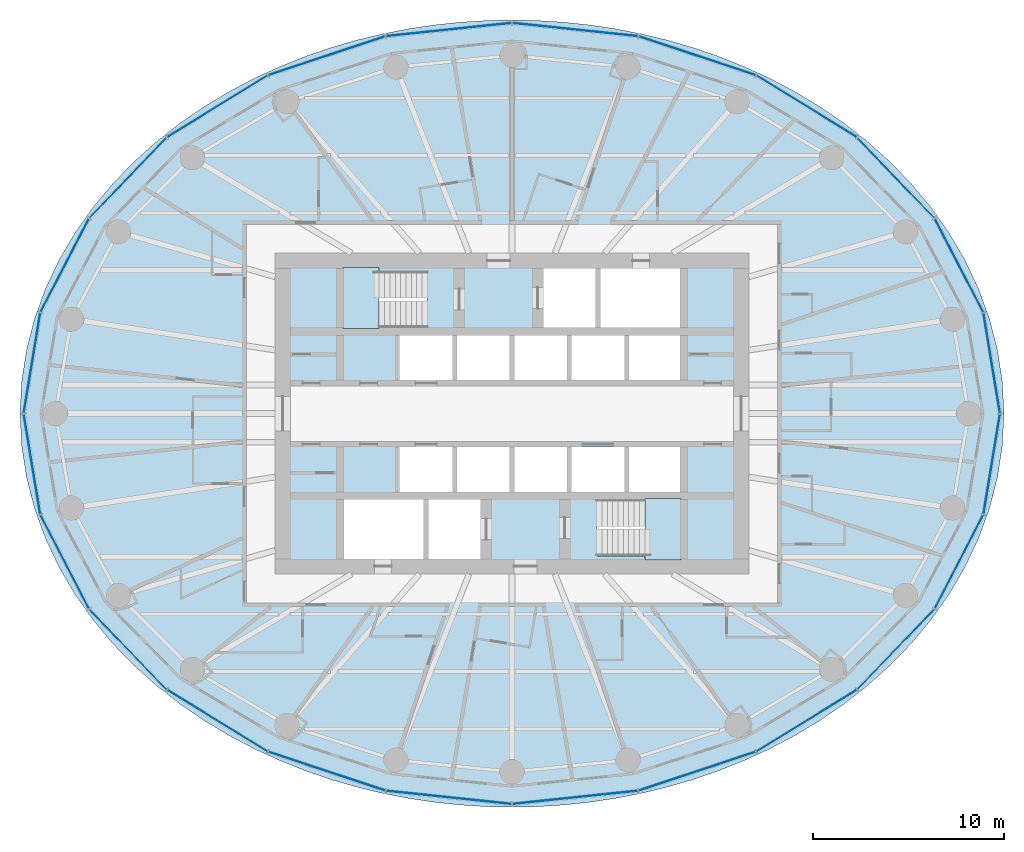
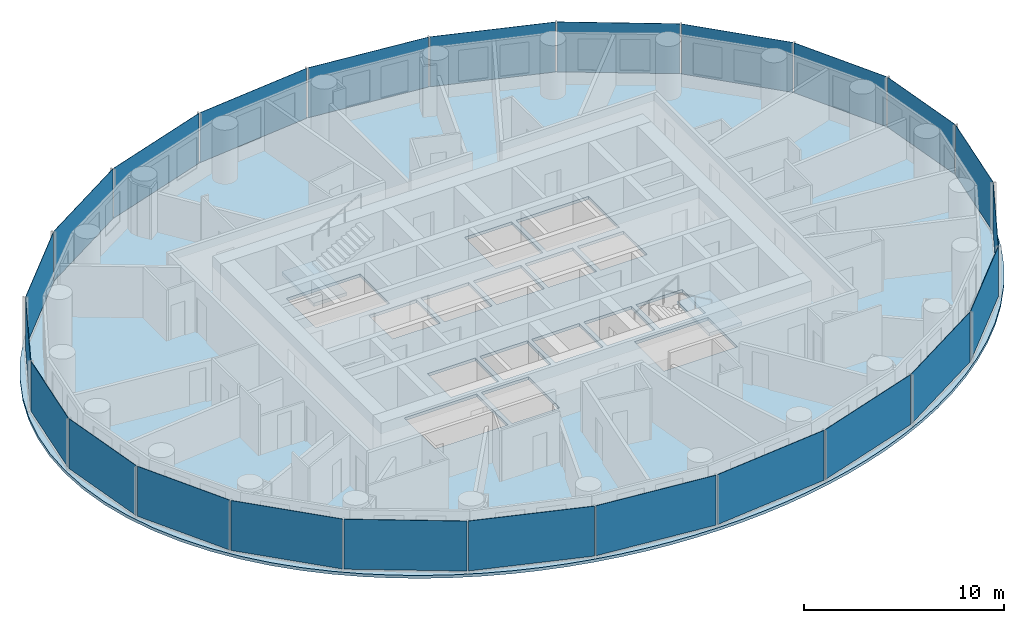
# One storey, part 5 of 13: 24 plates, 3 slabs, 6 elements without a shape of their own.
"""IFC4 building model written with IfcOpenShell, lengths in metres."""

import ifcopenshell
import ifcopenshell.guid

model = None  # the IFC model being written
_history = None  # IfcOwnerHistory: only IFC2X3 demands one
_inside = {}  # id of a spatial element -> (the spatial element, [elements in it])
_under = {}  # id of a project, library or spatial element -> (it, [spatial elements below it])
_declared = {}  # id of a project -> (the project, [libraries it declares])
_typed = {}  # id of a type object -> (the type object, [elements of that type])
_made_of = {}  # id of a material, layer set ... -> (it, [elements and type objects made of it])


def new_model(schema):
    """Start an empty IFC model of exactly this schema.

    Asked for "IFC4X3", IfcOpenShell would pick the latest addendum, in which some entities
    have other attributes; the version numbers below select the first issue.
    IFC2X3 requires an IfcOwnerHistory on every rooted entity: one is made here for all.
    """
    global model, _history
    if schema == "IFC4X3":
        model = ifcopenshell.file(schema_version=(4, 3, 0, 0))
    else:
        model = ifcopenshell.file(schema=schema)
    _inside.clear()
    _under.clear()
    _declared.clear()
    _typed.clear()
    _made_of.clear()
    _history = None
    if model.schema == "IFC2X3":
        org = make("IfcOrganization", Name="unknown")
        user = make(
            "IfcPersonAndOrganization",
            ThePerson=make("IfcPerson", FamilyName="unknown"),
            TheOrganization=org,
        )
        app = make(
            "IfcApplication",
            ApplicationDeveloper=org,
            Version="unknown",
            ApplicationFullName="unknown",
            ApplicationIdentifier="unknown",
        )
        _history = make(
            "IfcOwnerHistory",
            OwningUser=user,
            OwningApplication=app,
            ChangeAction="ADDED",
            CreationDate=0,
        )
    return model


def make(cls, **values):
    """One entity of the class cls with the attributes given. An attribute that is None is left unset."""
    return model.create_entity(
        cls, **{name: value for name, value in values.items() if value is not None}
    )


def rooted(cls, **values):
    """An entity with a GlobalId (a new one), such as an element, a storey or a relation."""
    return make(cls, GlobalId=ifcopenshell.guid.new(), OwnerHistory=_history, **values)


def si_unit(unit_type, name, prefix=None):
    """IfcSIUnit, for example si_unit("LENGTHUNIT", "METRE", prefix="MILLI")."""
    return make("IfcSIUnit", UnitType=unit_type, Prefix=prefix, Name=name)


def assignment(units):
    """IfcUnitAssignment: the units of a project."""
    return None if units is None else make("IfcUnitAssignment", Units=units)


def point(xyz):
    """IfcCartesianPoint."""
    return None if xyz is None else make("IfcCartesianPoint", Coordinates=xyz)


def direction(xyz):
    """IfcDirection."""
    return None if xyz is None else make("IfcDirection", DirectionRatios=xyz)


def frame(location, z_axis=None, x_axis=None):
    """IfcAxis2Placement3D, a coordinate frame: its origin and axes. An axis left out is left unset."""
    return make(
        "IfcAxis2Placement3D",
        Location=point(location),
        Axis=direction(z_axis),
        RefDirection=direction(x_axis),
    )


def frame_2d(location, x_axis=None):
    """IfcAxis2Placement2D, a coordinate frame in the plane: its origin and x axis."""
    return make(
        "IfcAxis2Placement2D", Location=point(location), RefDirection=direction(x_axis)
    )


def origin():
    """The frame at (0, 0, 0) with its axes left unset."""
    return frame((0.0, 0.0, 0.0))


def origin_2d():
    """The frame at (0, 0) in the plane with its x axis left unset."""
    return frame_2d((0.0, 0.0))


def place(relative_to, where):
    """IfcLocalPlacement: puts the frame where relative to a parent placement (None: the world)."""
    return make(
        "IfcLocalPlacement", PlacementRelTo=relative_to, RelativePlacement=where
    )


def context(
    kind, dimensions, precision=None, world=None, true_north=None, identifier=None
):
    """IfcGeometricRepresentationContext, for example the 3D "Model" context."""
    return make(
        "IfcGeometricRepresentationContext",
        ContextIdentifier=identifier,
        ContextType=kind,
        CoordinateSpaceDimension=dimensions,
        Precision=precision,
        WorldCoordinateSystem=world,
        TrueNorth=true_north,
    )


def subcontext(parent, identifier, kind, view, scale=None):
    """IfcGeometricRepresentationSubContext, for example "Body" below "Model"."""
    return make(
        "IfcGeometricRepresentationSubContext",
        ContextIdentifier=identifier,
        ContextType=kind,
        ParentContext=parent,
        TargetScale=scale,
        TargetView=view,
    )


def project(units=None, contexts=None):
    """IfcProject with its units and contexts."""
    return rooted(
        "IfcProject",
        Name="project",
        RepresentationContexts=contexts,
        UnitsInContext=assignment(units),
    )


def spatial(cls, under=None, at=None, **own):
    """A site, building, storey or space (cls), placed at a placement, below another one or the project."""
    s = rooted(cls, ObjectPlacement=at, **own)
    if under is not None:
        _under.setdefault(under.id(), (under, []))[1].append(s)
    return s


def polyline(points):
    """IfcPolyline through the points."""
    return make("IfcPolyline", Points=[point(p) for p in points])


def profile(cls, at=None, kind="AREA", **sizes):
    """A parametric profile (cls). Its sizes go by their IFC names, for example OverallWidth=200.0."""
    return make(cls, ProfileType=kind, Position=at, **sizes)


def rectangle(**sizes):
    """IfcRectangleProfileDef."""
    return profile("IfcRectangleProfileDef", **sizes)


def outline(outer, holes=None, kind="AREA"):
    """IfcArbitraryClosedProfileDef: a profile drawn as a closed curve; with holes, ...WithVoids."""
    if holes is None:
        return make("IfcArbitraryClosedProfileDef", ProfileType=kind, OuterCurve=outer)
    return make(
        "IfcArbitraryProfileDefWithVoids",
        ProfileType=kind,
        OuterCurve=outer,
        InnerCurves=holes,
    )


def extrude(swept, where, along, depth):
    """IfcExtrudedAreaSolid: the profile swept, set in the frame where, extruded along a direction by depth."""
    return make(
        "IfcExtrudedAreaSolid",
        SweptArea=swept,
        Position=where,
        ExtrudedDirection=direction(along),
        Depth=depth,
    )


def shape(context_of_items, identifier, shape_type, items):
    """IfcShapeRepresentation: the items that make up one representation, for example the "Body"."""
    return make(
        "IfcShapeRepresentation",
        ContextOfItems=context_of_items,
        RepresentationIdentifier=identifier,
        RepresentationType=shape_type,
        Items=items,
    )


def material(Name=None, Category=None):
    """IfcMaterial."""
    return make("IfcMaterial", Name=Name, Category=Category)


def layer(
    of_material, thickness, ventilated=None, Name=None, Category=None, Priority=None
):
    """IfcMaterialLayer: one layer of a wall or slab, of a material (None: an air gap)."""
    return make(
        "IfcMaterialLayer",
        Material=of_material,
        LayerThickness=thickness,
        IsVentilated=ventilated,
        Name=Name,
        Category=Category,
        Priority=Priority,
    )


def layer_set(layers, Name=None):
    """IfcMaterialLayerSet."""
    return make("IfcMaterialLayerSet", MaterialLayers=layers, LayerSetName=Name)


def made_of(thing, what):
    """Note that an element or type object is made of a material, layer set ...; save() writes the relation."""
    if what is not None:
        _made_of.setdefault(what.id(), (what, []))[1].append(thing)
    return thing


def type_object(cls, material=None, **own):
    """A type object (cls), such as IfcWallType, which elements share."""
    return made_of(rooted(cls, **own), material)


def element(
    cls,
    number,
    at=None,
    inside=None,
    cuts=None,
    type_object=None,
    material=None,
    context=None,
    identifier="Body",
    shape_type=None,
    held_by="IfcProductDefinitionShape",
    body=None,
    shapes=None,
    **own,
):
    """One element of the class cls, such as IfcWall. Its Tag is "e" and its number.

    at: its placement. inside: the storey or other place that contains it. cuts: it is an
    opening in that element (IfcRelVoidsElement). A single representation is given by context,
    identifier, shape_type and body (its items); several are given by shapes. held_by: the class
    of the entity that holds the representations. save() writes the other relations.
    """
    e = rooted(cls, Tag="e%d" % number, ObjectPlacement=at, **own)
    if body is not None:
        shapes = [shape(context, identifier, shape_type, body)]
    if shapes is not None:
        e.Representation = make(held_by, Representations=shapes)
    if inside is not None:
        _inside.setdefault(inside.id(), (inside, []))[1].append(e)
    if cuts is not None:
        rooted(
            "IfcRelVoidsElement", RelatingBuildingElement=cuts, RelatedOpeningElement=e
        )
    if type_object is not None:
        _typed.setdefault(type_object.id(), (type_object, []))[1].append(e)
    return made_of(e, material)


def aggregate(whole, parts):
    """IfcRelAggregates: a whole, such as a stair, and the parts it consists of."""
    return rooted("IfcRelAggregates", RelatingObject=whole, RelatedObjects=parts)


def save(model, path):
    """Write the relations noted so far, then the file.

    IfcRelAggregates (storeys below a building ...), IfcRelContainedInSpatialStructure (elements
    in a storey), IfcRelDefinesByType, IfcRelAssociatesMaterial and IfcRelDeclares: one each for
    every whole, place, type object, material and project.
    """
    for whole, parts in _under.values():
        aggregate(whole, parts)
    for where, things in _inside.values():
        rooted(
            "IfcRelContainedInSpatialStructure",
            RelatedElements=things,
            RelatingStructure=where,
        )
    for kind, things in _typed.values():
        rooted("IfcRelDefinesByType", RelatedObjects=things, RelatingType=kind)
    for what, things in _made_of.values():
        rooted("IfcRelAssociatesMaterial", RelatedObjects=things, RelatingMaterial=what)
    for by, libraries in _declared.values():
        rooted("IfcRelDeclares", RelatingContext=by, RelatedDefinitions=libraries)
    model.write(path)


model = new_model("IFC4")

# Units and contexts
model_context = context("Model", 3, precision=1e-05, world=origin(), true_north=direction((0.0, 1.0)))
body_context = subcontext(model_context, "Body", "Model", "MODEL_VIEW")
ifc_project = project(units=[si_unit("LENGTHUNIT", "METRE"), si_unit("AREAUNIT", "SQUARE_METRE"), si_unit("VOLUMEUNIT", "CUBIC_METRE"), si_unit("PLANEANGLEUNIT", "RADIAN"), si_unit("MASSUNIT", "GRAM", prefix="KILO")], contexts=[model_context])

# Site, building, storey
site_placement = place(None, origin())
site = spatial("IfcSite", under=ifc_project, at=site_placement, CompositionType="ELEMENT")
building_placement = place(site_placement, origin())
building = spatial("IfcBuilding", under=site, at=building_placement, Name="Hankou Lantern Tower", CompositionType="ELEMENT")
storey_placement = place(building_placement, frame((0.0, 0.0, 128.699951171875)))
storey = spatial("IfcBuildingStorey", under=building, at=storey_placement, Name="L33", CompositionType="ELEMENT", Elevation=128.699951171875)

# Curtain wall, plates
ifc_material_1 = material(Name="Glass, dark grey tinted laminated", Category="glass")
curtain_wall_type = type_object("IfcCurtainWallType", Name="CWB OUTER SKIN MID-RISE", PredefinedType="USERDEFINED", material=ifc_material_1)
curtain_wall_1_placement = place(storey_placement, origin())
curtain_wall_1 = element("IfcCurtainWall", 1, at=curtain_wall_1_placement, inside=storey, type_object=curtain_wall_type, Name="CWB L33 OS1", ObjectType="OUTER SKIN MID-RISE", PredefinedType="USERDEFINED")
ifc_material_2 = material(Name="Glass, dark grey tinted laminated", Category="glass")
ifc_layer_1 = layer(ifc_material_2, 0.02392578125)
ifc_layer_set_1 = layer_set([ifc_layer_1], Name="Glass, dark grey tinted laminated")
plate_type = type_object("IfcPlateType", Name="PN1 OUTER SKIN GLASS PANEL", PredefinedType="CURTAIN_PANEL", material=ifc_layer_set_1)
plate_1_placement = place(storey_placement, frame((25.11474609375, 2.64501953125, 0.080078125), z_axis=(0.0, 0.0, 1.0), x_axis=(-0.162381515188, 0.986728049427, 0.0)))
plate_1 = element("IfcPlate", 2, at=plate_1_placement, type_object=plate_type, Name="CWB glass panel 1", PredefinedType="CURTAIN_PANEL", context=body_context, shape_type="SweptSolid", body=[
    extrude(rectangle(XDim=5.281494140625, YDim=0.02392578125, at=origin_2d()), origin(), (0.0, 0.0, 1.0), 3.0400390625),
])
plate_2_placement = place(storey_placement, frame((23.403076171875, 7.755126953125, 0.080078125), z_axis=(0.0, 0.0, 1.0), x_axis=(-0.459791091957, 0.888027112062, 0.0)))
plate_2 = element("IfcPlate", 3, at=plate_2_placement, type_object=plate_type, Name="CWB glass panel 2", PredefinedType="CURTAIN_PANEL", context=body_context, shape_type="SweptSolid", body=[
    extrude(rectangle(XDim=5.471435546875, YDim=0.02392578125, at=origin_2d()), origin(), (0.0, 0.0, 1.0), 3.0400390625),
])
plate_3_placement = place(storey_placement, frame((20.0966796875, 12.336669921875, 0.080078125), z_axis=(0.0, 0.0, 1.0), x_axis=(-0.692215809936, 0.721690565599, 0.0)))
plate_3 = element("IfcPlate", 4, at=plate_3_placement, type_object=plate_type, Name="CWB glass panel 3", PredefinedType="CURTAIN_PANEL", context=body_context, shape_type="SweptSolid", body=[
    extrude(rectangle(XDim=5.78564453125, YDim=0.02392578125, at=origin_2d()), origin(), (0.0, 0.0, 1.0), 3.0400390625),
])
plate_4_placement = place(storey_placement, frame((15.4208984375, 16.077392578125, 0.080078125), z_axis=(0.0, 0.0, 1.0), x_axis=(-0.852237151549, 0.523155653242, 0.0)))
plate_4 = element("IfcPlate", 5, at=plate_4_placement, type_object=plate_type, Name="CWB glass panel 4", PredefinedType="CURTAIN_PANEL", context=body_context, shape_type="SweptSolid", body=[
    extrude(rectangle(XDim=6.129150390625, YDim=0.02392578125, at=origin_2d()), origin(), (0.0, 0.0, 1.0), 3.0400390625),
])
plate_5_placement = place(storey_placement, frame((9.69384765625, 18.72265625, 0.080078125), z_axis=(0.0, 0.0, 1.0), x_axis=(-0.949240677293, 0.31455068999, 0.0)))
plate_5 = element("IfcPlate", 6, at=plate_5_placement, type_object=plate_type, Name="CWB glass panel 5", PredefinedType="CURTAIN_PANEL", context=body_context, shape_type="SweptSolid", body=[
    extrude(rectangle(XDim=6.41162109375, YDim=0.02392578125, at=origin_2d()), origin(), (0.0, 0.0, 1.0), 3.0400390625),
])
plate_6_placement = place(storey_placement, frame((3.306396484375, 20.091796875, 0.080078125), z_axis=(0.0, 0.0, 1.0), x_axis=(-0.994499359107, 0.104742659579, 0.0)))
plate_6 = element("IfcPlate", 7, at=plate_6_placement, type_object=plate_type, Name="CWB glass panel 6", PredefinedType="CURTAIN_PANEL", context=body_context, shape_type="SweptSolid", body=[
    extrude(rectangle(XDim=6.5693359375, YDim=0.02392578125, at=origin_2d()), origin(), (0.0, 0.0, 1.0), 3.0400390625),
])
aggregate(curtain_wall_1, [plate_1, plate_2, plate_3, plate_4, plate_5, plate_6])

curtain_wall_2_placement = place(storey_placement, origin())
curtain_wall_2 = element("IfcCurtainWall", 8, at=curtain_wall_2_placement, inside=storey, type_object=curtain_wall_type, Name="CWB L33 OS2", ObjectType="OUTER SKIN MID-RISE", PredefinedType="USERDEFINED")
plate_7_placement = place(storey_placement, frame((-3.306396484375, 20.091796875, 0.080078125), z_axis=(0.0, 0.0, 1.0), x_axis=(-0.994499359107, -0.104742659579, 0.0)))
plate_7 = element("IfcPlate", 9, at=plate_7_placement, type_object=plate_type, Name="CWB glass panel 1", PredefinedType="CURTAIN_PANEL", context=body_context, shape_type="SweptSolid", body=[
    extrude(rectangle(XDim=6.5693359375, YDim=0.02392578125, at=origin_2d()), origin(), (0.0, 0.0, 1.0), 3.0400390625),
])
plate_8_placement = place(storey_placement, frame((-9.69384765625, 18.72265625, 0.080078125), z_axis=(0.0, 0.0, 1.0), x_axis=(-0.949240677293, -0.31455068999, 0.0)))
plate_8 = element("IfcPlate", 10, at=plate_8_placement, type_object=plate_type, Name="CWB glass panel 2", PredefinedType="CURTAIN_PANEL", context=body_context, shape_type="SweptSolid", body=[
    extrude(rectangle(XDim=6.41162109375, YDim=0.02392578125, at=origin_2d()), origin(), (0.0, 0.0, 1.0), 3.0400390625),
])
plate_9_placement = place(storey_placement, frame((-15.4208984375, 16.077392578125, 0.080078125), z_axis=(0.0, 0.0, 1.0), x_axis=(-0.852237151549, -0.523155653242, 0.0)))
plate_9 = element("IfcPlate", 11, at=plate_9_placement, type_object=plate_type, Name="CWB glass panel 3", PredefinedType="CURTAIN_PANEL", context=body_context, shape_type="SweptSolid", body=[
    extrude(rectangle(XDim=6.129150390625, YDim=0.02392578125, at=origin_2d()), origin(), (0.0, 0.0, 1.0), 3.0400390625),
])
plate_10_placement = place(storey_placement, frame((-20.0966796875, 12.336669921875, 0.080078125), z_axis=(0.0, 0.0, 1.0), x_axis=(-0.692215809936, -0.721690565599, 0.0)))
plate_10 = element("IfcPlate", 12, at=plate_10_placement, type_object=plate_type, Name="CWB glass panel 4", PredefinedType="CURTAIN_PANEL", context=body_context, shape_type="SweptSolid", body=[
    extrude(rectangle(XDim=5.78564453125, YDim=0.02392578125, at=origin_2d()), origin(), (0.0, 0.0, 1.0), 3.0400390625),
])
plate_11_placement = place(storey_placement, frame((-23.403076171875, 7.755126953125, 0.080078125), z_axis=(0.0, 0.0, 1.0), x_axis=(-0.459791091957, -0.888027112062, 0.0)))
plate_11 = element("IfcPlate", 13, at=plate_11_placement, type_object=plate_type, Name="CWB glass panel 5", PredefinedType="CURTAIN_PANEL", context=body_context, shape_type="SweptSolid", body=[
    extrude(rectangle(XDim=5.471435546875, YDim=0.02392578125, at=origin_2d()), origin(), (0.0, 0.0, 1.0), 3.0400390625),
])
plate_12_placement = place(storey_placement, frame((-25.11474609375, 2.64501953125, 0.080078125), z_axis=(0.0, 0.0, 1.0), x_axis=(-0.162381515188, -0.986728049427, 0.0)))
plate_12 = element("IfcPlate", 14, at=plate_12_placement, type_object=plate_type, Name="CWB glass panel 6", PredefinedType="CURTAIN_PANEL", context=body_context, shape_type="SweptSolid", body=[
    extrude(rectangle(XDim=5.281494140625, YDim=0.02392578125, at=origin_2d()), origin(), (0.0, 0.0, 1.0), 3.0400390625),
])
aggregate(curtain_wall_2, [plate_7, plate_8, plate_9, plate_10, plate_11, plate_12])

curtain_wall_3_placement = place(storey_placement, origin())
curtain_wall_3 = element("IfcCurtainWall", 15, at=curtain_wall_3_placement, inside=storey, type_object=curtain_wall_type, Name="CWB L33 OS3", ObjectType="OUTER SKIN MID-RISE", PredefinedType="USERDEFINED")
plate_13_placement = place(storey_placement, frame((-25.11474609375, -2.64501953125, 0.080078125), z_axis=(0.0, 0.0, 1.0), x_axis=(0.162381515188, -0.986728049427, 0.0)))
plate_13 = element("IfcPlate", 16, at=plate_13_placement, type_object=plate_type, Name="CWB glass panel 1", PredefinedType="CURTAIN_PANEL", context=body_context, shape_type="SweptSolid", body=[
    extrude(rectangle(XDim=5.281494140625, YDim=0.02392578125, at=origin_2d()), origin(), (0.0, 0.0, 1.0), 3.0400390625),
])
plate_14_placement = place(storey_placement, frame((-23.403076171875, -7.755126953125, 0.080078125), z_axis=(0.0, 0.0, 1.0), x_axis=(0.459791091957, -0.888027112062, 0.0)))
plate_14 = element("IfcPlate", 17, at=plate_14_placement, type_object=plate_type, Name="CWB glass panel 2", PredefinedType="CURTAIN_PANEL", context=body_context, shape_type="SweptSolid", body=[
    extrude(rectangle(XDim=5.471435546875, YDim=0.02392578125, at=origin_2d()), origin(), (0.0, 0.0, 1.0), 3.0400390625),
])
plate_15_placement = place(storey_placement, frame((-20.0966796875, -12.336669921875, 0.080078125), z_axis=(0.0, 0.0, 1.0), x_axis=(0.692215809936, -0.721690565599, 0.0)))
plate_15 = element("IfcPlate", 18, at=plate_15_placement, type_object=plate_type, Name="CWB glass panel 3", PredefinedType="CURTAIN_PANEL", context=body_context, shape_type="SweptSolid", body=[
    extrude(rectangle(XDim=5.78564453125, YDim=0.02392578125, at=origin_2d()), origin(), (0.0, 0.0, 1.0), 3.0400390625),
])
plate_16_placement = place(storey_placement, frame((-15.4208984375, -16.077392578125, 0.080078125), z_axis=(0.0, 0.0, 1.0), x_axis=(0.852237151549, -0.523155653242, 0.0)))
plate_16 = element("IfcPlate", 19, at=plate_16_placement, type_object=plate_type, Name="CWB glass panel 4", PredefinedType="CURTAIN_PANEL", context=body_context, shape_type="SweptSolid", body=[
    extrude(rectangle(XDim=6.129150390625, YDim=0.02392578125, at=origin_2d()), origin(), (0.0, 0.0, 1.0), 3.0400390625),
])
plate_17_placement = place(storey_placement, frame((-9.69384765625, -18.72265625, 0.080078125), z_axis=(0.0, 0.0, 1.0), x_axis=(0.949240677293, -0.31455068999, 0.0)))
plate_17 = element("IfcPlate", 20, at=plate_17_placement, type_object=plate_type, Name="CWB glass panel 5", PredefinedType="CURTAIN_PANEL", context=body_context, shape_type="SweptSolid", body=[
    extrude(rectangle(XDim=6.41162109375, YDim=0.02392578125, at=origin_2d()), origin(), (0.0, 0.0, 1.0), 3.0400390625),
])
plate_18_placement = place(storey_placement, frame((-3.306396484375, -20.091796875, 0.080078125), z_axis=(0.0, 0.0, 1.0), x_axis=(0.994499359107, -0.104742659579, 0.0)))
plate_18 = element("IfcPlate", 21, at=plate_18_placement, type_object=plate_type, Name="CWB glass panel 6", PredefinedType="CURTAIN_PANEL", context=body_context, shape_type="SweptSolid", body=[
    extrude(rectangle(XDim=6.5693359375, YDim=0.02392578125, at=origin_2d()), origin(), (0.0, 0.0, 1.0), 3.0400390625),
])
aggregate(curtain_wall_3, [plate_13, plate_14, plate_15, plate_16, plate_17, plate_18])

curtain_wall_4_placement = place(storey_placement, origin())
curtain_wall_4 = element("IfcCurtainWall", 22, at=curtain_wall_4_placement, inside=storey, type_object=curtain_wall_type, Name="CWB L33 OS4", ObjectType="OUTER SKIN MID-RISE", PredefinedType="USERDEFINED")
plate_19_placement = place(storey_placement, frame((3.306396484375, -20.091796875, 0.080078125), z_axis=(0.0, 0.0, 1.0), x_axis=(0.994499359107, 0.104742659579, 0.0)))
plate_19 = element("IfcPlate", 23, at=plate_19_placement, type_object=plate_type, Name="CWB glass panel 1", PredefinedType="CURTAIN_PANEL", context=body_context, shape_type="SweptSolid", body=[
    extrude(rectangle(XDim=6.5693359375, YDim=0.02392578125, at=origin_2d()), origin(), (0.0, 0.0, 1.0), 3.0400390625),
])
plate_20_placement = place(storey_placement, frame((9.69384765625, -18.72265625, 0.080078125), z_axis=(0.0, 0.0, 1.0), x_axis=(0.949240677293, 0.31455068999, 0.0)))
plate_20 = element("IfcPlate", 24, at=plate_20_placement, type_object=plate_type, Name="CWB glass panel 2", PredefinedType="CURTAIN_PANEL", context=body_context, shape_type="SweptSolid", body=[
    extrude(rectangle(XDim=6.41162109375, YDim=0.02392578125, at=origin_2d()), origin(), (0.0, 0.0, 1.0), 3.0400390625),
])
plate_21_placement = place(storey_placement, frame((15.4208984375, -16.077392578125, 0.080078125), z_axis=(0.0, 0.0, 1.0), x_axis=(0.852237151549, 0.523155653242, 0.0)))
plate_21 = element("IfcPlate", 25, at=plate_21_placement, type_object=plate_type, Name="CWB glass panel 3", PredefinedType="CURTAIN_PANEL", context=body_context, shape_type="SweptSolid", body=[
    extrude(rectangle(XDim=6.129150390625, YDim=0.02392578125, at=origin_2d()), origin(), (0.0, 0.0, 1.0), 3.0400390625),
])
plate_22_placement = place(storey_placement, frame((20.0966796875, -12.336669921875, 0.080078125), z_axis=(0.0, 0.0, 1.0), x_axis=(0.692215809936, 0.721690565599, 0.0)))
plate_22 = element("IfcPlate", 26, at=plate_22_placement, type_object=plate_type, Name="CWB glass panel 4", PredefinedType="CURTAIN_PANEL", context=body_context, shape_type="SweptSolid", body=[
    extrude(rectangle(XDim=5.78564453125, YDim=0.02392578125, at=origin_2d()), origin(), (0.0, 0.0, 1.0), 3.0400390625),
])
plate_23_placement = place(storey_placement, frame((23.403076171875, -7.755126953125, 0.080078125), z_axis=(0.0, 0.0, 1.0), x_axis=(0.459791091957, 0.888027112062, 0.0)))
plate_23 = element("IfcPlate", 27, at=plate_23_placement, type_object=plate_type, Name="CWB glass panel 5", PredefinedType="CURTAIN_PANEL", context=body_context, shape_type="SweptSolid", body=[
    extrude(rectangle(XDim=5.471435546875, YDim=0.02392578125, at=origin_2d()), origin(), (0.0, 0.0, 1.0), 3.0400390625),
])
plate_24_placement = place(storey_placement, frame((25.11474609375, -2.64501953125, 0.080078125), z_axis=(0.0, 0.0, 1.0), x_axis=(0.162381515188, 0.986728049427, 0.0)))
plate_24 = element("IfcPlate", 28, at=plate_24_placement, type_object=plate_type, Name="CWB glass panel 6", PredefinedType="CURTAIN_PANEL", context=body_context, shape_type="SweptSolid", body=[
    extrude(rectangle(XDim=5.281494140625, YDim=0.02392578125, at=origin_2d()), origin(), (0.0, 0.0, 1.0), 3.0400390625),
])
aggregate(curtain_wall_4, [plate_19, plate_20, plate_21, plate_22, plate_23, plate_24])

# Slab
ifc_material_3 = material(Name="Concrete C50", Category="concrete")
ifc_layer_2 = layer(ifc_material_3, 0.179931640625)
ifc_layer_set_2 = layer_set([ifc_layer_2], Name="Concrete C50")
slab_type_1 = type_object("IfcSlabType", Name="S1 CONCRETE FLOOR SLAB 180", PredefinedType="FLOOR", material=ifc_layer_set_2)
slab_1_placement = place(storey_placement, frame((0.0, 0.0, -0.179931640625)))
element("IfcSlab", 29, at=slab_1_placement, inside=storey, type_object=slab_type_1, Name="Floor slab L33", PredefinedType="FLOOR", context=body_context, shape_type="SweptSolid", body=[
    extrude(outline(polyline([(25.75, 0.0), (25.6640625, 1.68212890625), (25.408203125, 3.344970703125), (24.9892578125, 4.970703125), (24.416748046875, 6.54248046875), (23.704345703125, 8.046630859375), (22.86669921875, 9.4716796875), (21.919921875, 10.809814453125), (20.88037109375, 12.05517578125), (19.763427734375, 13.205322265625), (18.58349609375, 14.259765625), (17.35400390625, 15.218994140625), (16.0859375, 16.0859375), (14.7890625, 16.863525390625), (13.47119140625, 17.55615234375), (12.138916015625, 18.167236328125), (10.79736328125, 18.701416015625), (9.449951171875, 19.16259765625), (8.099609375, 19.554443359375), (6.748291015625, 19.8798828125), (5.397216796875, 20.142333984375), (4.046630859375, 20.343994140625), (2.697021484375, 20.486572265625), (1.348388671875, 20.57177734375), (0.0, 20.60009765625), (-1.348388671875, 20.57177734375), (-2.697021484375, 20.486572265625), (-4.046630859375, 20.343994140625), (-5.397216796875, 20.142333984375), (-6.748291015625, 19.8798828125), (-8.099609375, 19.554443359375), (-9.449951171875, 19.16259765625), (-10.79736328125, 18.701416015625), (-12.138916015625, 18.167236328125), (-13.47119140625, 17.55615234375), (-14.7890625, 16.863525390625), (-16.0859375, 16.0859375), (-17.35400390625, 15.218994140625), (-18.58349609375, 14.259765625), (-19.763427734375, 13.205322265625), (-20.88037109375, 12.05517578125), (-21.919921875, 10.809814453125), (-22.86669921875, 9.4716796875), (-23.704345703125, 8.046630859375), (-24.416748046875, 6.54248046875), (-24.9892578125, 4.970703125), (-25.408203125, 3.344970703125), (-25.6640625, 1.68212890625), (-25.75, 0.0), (-25.6640625, -1.68212890625), (-25.408203125, -3.344970703125), (-24.9892578125, -4.970703125), (-24.416748046875, -6.54248046875), (-23.704345703125, -8.046630859375), (-22.86669921875, -9.4716796875), (-21.919921875, -10.809814453125), (-20.88037109375, -12.05517578125), (-19.763427734375, -13.205322265625), (-18.58349609375, -14.259765625), (-17.35400390625, -15.218994140625), (-16.0859375, -16.0859375), (-14.7890625, -16.863525390625), (-13.47119140625, -17.55615234375), (-12.138916015625, -18.167236328125), (-10.79736328125, -18.701416015625), (-9.449951171875, -19.16259765625), (-8.099609375, -19.554443359375), (-6.748291015625, -19.8798828125), (-5.397216796875, -20.142333984375), (-4.046630859375, -20.343994140625), (-2.697021484375, -20.486572265625), (-1.348388671875, -20.57177734375), (0.0, -20.60009765625), (1.348388671875, -20.57177734375), (2.697021484375, -20.486572265625), (4.046630859375, -20.343994140625), (5.397216796875, -20.142333984375), (6.748291015625, -19.8798828125), (8.099609375, -19.554443359375), (9.449951171875, -19.16259765625), (10.79736328125, -18.701416015625), (12.138916015625, -18.167236328125), (13.47119140625, -17.55615234375), (14.7890625, -16.863525390625), (16.0859375, -16.0859375), (17.35400390625, -15.218994140625), (18.58349609375, -14.259765625), (19.763427734375, -13.205322265625), (20.88037109375, -12.05517578125), (21.919921875, -10.809814453125), (22.86669921875, -9.4716796875), (23.704345703125, -8.046630859375), (24.416748046875, -6.54248046875), (24.9892578125, -4.970703125), (25.408203125, -3.344970703125), (25.6640625, -1.68212890625), (25.75, 0.0)]), holes=[polyline([(-5.875, 4.10009765625), (-3.125, 4.10009765625), (-3.125, 1.75), (-5.875, 1.75), (-5.875, 4.10009765625)]), polyline([(-2.875, 4.10009765625), (-0.125, 4.10009765625), (-0.125, 1.75), (-2.875, 1.75), (-2.875, 4.10009765625)]), polyline([(0.125, 4.10009765625), (2.875, 4.10009765625), (2.875, 1.75), (0.125, 1.75), (0.125, 4.10009765625)]), polyline([(3.125, 4.10009765625), (5.875, 4.10009765625), (5.875, 1.75), (3.125, 1.75), (3.125, 4.10009765625)]), polyline([(6.125, 4.10009765625), (8.800048828125, 4.10009765625), (8.800048828125, 1.75), (6.125, 1.75), (6.125, 4.10009765625)]), polyline([(-5.875, -1.75), (-3.125, -1.75), (-3.125, -4.10009765625), (-5.875, -4.10009765625), (-5.875, -1.75)]), polyline([(-2.875, -1.75), (-0.125, -1.75), (-0.125, -4.10009765625), (-2.875, -4.10009765625), (-2.875, -1.75)]), polyline([(0.125, -1.75), (2.875, -1.75), (2.875, -4.10009765625), (0.125, -4.10009765625), (0.125, -1.75)]), polyline([(3.125, -1.75), (5.875, -1.75), (5.875, -4.10009765625), (3.125, -4.10009765625), (3.125, -1.75)]), polyline([(6.125, -1.75), (8.800048828125, -1.75), (8.800048828125, -4.10009765625), (6.125, -4.10009765625), (6.125, -1.75)]), polyline([(1.64990234375, 7.60009765625), (4.375, 7.60009765625), (4.375, 4.5), (1.64990234375, 4.5), (1.64990234375, 7.60009765625)]), polyline([(-4.375, -4.5), (-1.64990234375, -4.5), (-1.64990234375, -7.60009765625), (-4.375, -7.60009765625), (-4.375, -4.5)]), polyline([(-8.699951171875, 7.449951171875), (-4.449951171875, 7.449951171875), (-4.449951171875, 4.5), (-8.699951171875, 4.5), (-8.699951171875, 7.449951171875)]), polyline([(4.449951171875, -4.5), (8.699951171875, -4.5), (8.699951171875, -7.449951171875), (4.449951171875, -7.449951171875), (4.449951171875, -4.5)]), polyline([(4.625, 7.60009765625), (8.800048828125, 7.60009765625), (8.800048828125, 4.5), (4.625, 4.5), (4.625, 7.60009765625)]), polyline([(-8.800048828125, -4.5), (-4.625, -4.5), (-4.625, -7.60009765625), (-8.800048828125, -7.60009765625), (-8.800048828125, -4.5)])]), origin(), (0.0, 0.0, 1.0), 0.179931640625),
])

# Stair, slab
ifc_material_4 = material(Name="Concrete C40", Category="concrete")
stair_type = type_object("IfcStairType", Name="ST33 CORE STAIR 3300 RISE", PredefinedType="HALF_TURN_STAIR", material=ifc_material_4)
stair_1_placement = place(storey_placement, origin())
stair_1 = element("IfcStair", 30, at=stair_1_placement, inside=storey, type_object=stair_type, Name="Stair STA L33", PredefinedType="HALF_TURN_STAIR")
ifc_material_5 = material(Name="Concrete C40", Category="concrete")
ifc_layer_3 = layer(ifc_material_5, 0.199951171875)
ifc_layer_set_3 = layer_set([ifc_layer_3], Name="Concrete C40")
slab_type_2 = type_object("IfcSlabType", Name="SL1 STAIR LANDING 200", PredefinedType="LANDING", material=ifc_layer_set_3)
slab_2_placement = place(storey_placement, frame((0.0, 0.0, 1.37158203125)))
slab_2 = element("IfcSlab", 31, at=slab_2_placement, type_object=slab_type_2, Name="STA landing 1", PredefinedType="LANDING", context=body_context, shape_type="SweptSolid", body=[
    extrude(outline(polyline([(-8.85009765625, 4.449951171875), (-6.949951171875, 4.449951171875), (-6.949951171875, 7.64990234375), (-8.85009765625, 7.64990234375), (-8.85009765625, 4.449951171875)])), origin(), (0.0, 0.0, 1.0), 0.199951171875),
])
aggregate(stair_1, [slab_2])

stair_2_placement = place(storey_placement, origin())
stair_2 = element("IfcStair", 32, at=stair_2_placement, inside=storey, type_object=stair_type, Name="Stair STB L33", PredefinedType="HALF_TURN_STAIR")
slab_3_placement = place(storey_placement, frame((0.0, 0.0, 1.37158203125)))
slab_3 = element("IfcSlab", 33, at=slab_3_placement, type_object=slab_type_2, Name="STB landing 1", PredefinedType="LANDING", context=body_context, shape_type="SweptSolid", body=[
    extrude(outline(polyline([(8.85009765625, -4.449951171875), (6.949951171875, -4.449951171875), (6.949951171875, -7.64990234375), (8.85009765625, -7.64990234375), (8.85009765625, -4.449951171875)])), origin(), (0.0, 0.0, 1.0), 0.199951171875),
])
aggregate(stair_2, [slab_3])

save(model, "model.ifc")
